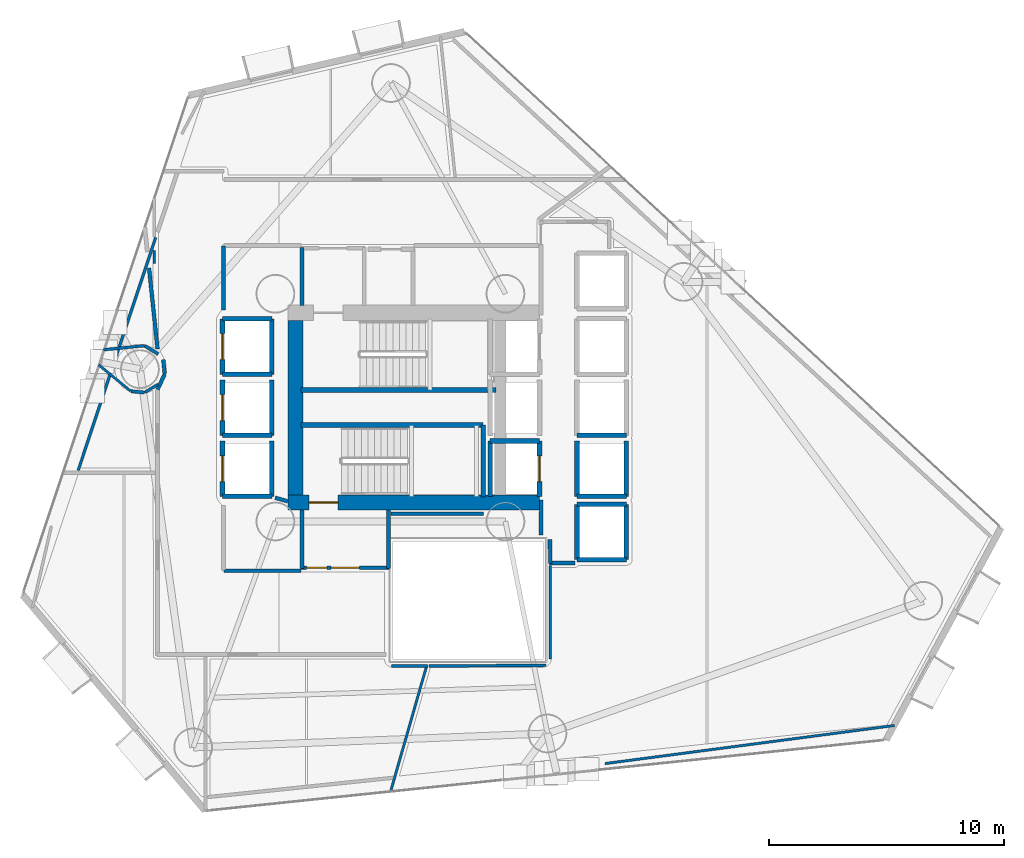
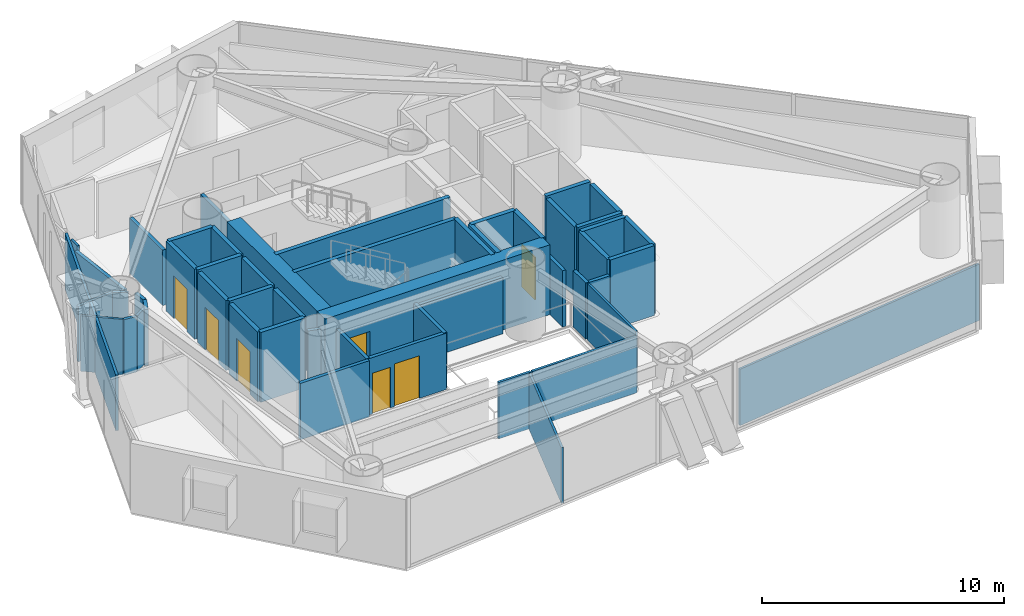
# One storey, part 18 of 23: 52 walls, 7 doors, 7 openings.
"""IFC4 building model written with IfcOpenShell, lengths in metres."""

from ifc_helpers import new_model, si_unit, direction, frame, frame_2d, origin, place, context, subcontext, project, spatial, rectangle, extrude, material, layer, layer_set, type_object, element, fill, save


model = new_model("IFC4")

# Units and contexts
model_context = context("Model", 3, precision=1e-05, world=origin(), true_north=direction((0.0, 1.0)))
body_context = subcontext(model_context, "Body", "Model", "MODEL_VIEW")
ifc_project = project(units=[si_unit("LENGTHUNIT", "METRE"), si_unit("AREAUNIT", "SQUARE_METRE"), si_unit("VOLUMEUNIT", "CUBIC_METRE"), si_unit("PLANEANGLEUNIT", "RADIAN"), si_unit("MASSUNIT", "GRAM", prefix="KILO")], contexts=[model_context])

# Site, building, storey
site_placement = place(None, origin())
site = spatial("IfcSite", under=ifc_project, at=site_placement, CompositionType="ELEMENT")
building_placement = place(site_placement, origin())
building = spatial("IfcBuilding", under=site, at=building_placement, Name="Qianvela Tower", CompositionType="ELEMENT")
storey_placement = place(building_placement, frame((0.0, 0.0, 67.300048828125)))
storey = spatial("IfcBuildingStorey", under=building, at=storey_placement, Name="L16", CompositionType="ELEMENT", Elevation=67.300048828125)

# Wall, opening, door
ifc_material_1 = material(Name="Concrete C60", Category="concrete")
ifc_layer_1 = layer(ifc_material_1, 0.64990234375)
ifc_layer_set_1 = layer_set([ifc_layer_1], Name="Concrete C60")
wall_type_1 = type_object("IfcWallType", Name="WT-CORE-650", PredefinedType="SHEAR", material=ifc_layer_set_1)
wall_1_placement = place(storey_placement, frame((29.1298828125, 24.655029296875, 0.0), z_axis=(0.0, 0.0, 1.0), x_axis=(1.0, 0.0, 0.0)))
wall_1 = element("IfcWall", 1, at=wall_1_placement, inside=storey, type_object=wall_type_1, Name="L16 South Core Shear Wall", PredefinedType="SHEAR", context=body_context, shape_type="SweptSolid", body=[
    extrude(rectangle(XDim=10.72021484375, YDim=0.64990234375, at=frame_2d((5.360107421875, 0.0))), origin(), (0.0, 0.0, 1.0), 3.52001953125),
])
opening_1_placement = place(wall_1_placement, frame((0.89501953125, 0.0, 0.0)))
opening_1 = element("IfcOpeningElement", 2, at=opening_1_placement, cuts=wall_1, Name="Opening D-ST1", PredefinedType="OPENING", context=body_context, shape_type="SweptSolid", body=[
    extrude(rectangle(XDim=1.25, YDim=2.14990234375, at=frame_2d((0.625, 1.074951171875))), frame((0.0, 0.3349609375, 0.0), z_axis=(0.0, -1.0, 0.0), x_axis=(1.0, 0.0, 0.0)), (0.0, 0.0, 1.0), 0.669921875),
])
ifc_material_2 = material(Name="Galvanised Fire Steel Q355B", Category="steel")
door_type_1 = type_object("IfcDoorType", Name="DT-STAIR-FD90", OperationType="NOTDEFINED", PredefinedType="DOOR", material=ifc_material_2)
door_1_placement = place(opening_1_placement, origin())
door_1 = element("IfcDoor", 3, at=door_1_placement, inside=storey, type_object=door_type_1, Name="L16 Stair ST-2 Exit Door", OperationType="SINGLE_SWING_RIGHT", OverallHeight=2.14990234375, OverallWidth=1.25, PredefinedType="DOOR", context=body_context, shape_type="SweptSolid", body=[
    extrude(rectangle(XDim=1.25, YDim=2.14990234375, at=frame_2d((0.625, 1.074951171875))), frame((0.0, 0.02490234375, 0.0), z_axis=(0.0, -1.0, 0.0), x_axis=(1.0, 0.0, 0.0)), (0.0, 0.0, 1.0), 0.050048828125),
])
fill(opening_1, door_1)

# Walls
wall_2_placement = place(storey_placement, frame((29.455078125, 24.97998046875, 0.0), z_axis=(0.0, 0.0, 1.0), x_axis=(0.0, 1.0, 0.0)))
element("IfcWall", 4, at=wall_2_placement, inside=storey, type_object=wall_type_1, Name="L16 West Core Shear Wall", PredefinedType="SHEAR", context=body_context, shape_type="SweptSolid", body=[
    extrude(rectangle(XDim=7.43994140625, YDim=0.64990234375, at=frame_2d((3.719970703125, 0.0))), origin(), (0.0, 0.0, 1.0), 3.52001953125),
])
ifc_material_3 = material(Name="Fire-Rated Gypsum and Concrete Block", Category="concrete")
ifc_layer_2 = layer(ifc_material_3, 0.159912109375)
ifc_layer_set_2 = layer_set([ifc_layer_2], Name="Fire-Rated Gypsum and Concrete Block")
wall_type_2 = type_object("IfcWallType", Name="WT-CORR-160", PredefinedType="PARTITIONING", material=ifc_layer_set_2)
wall_3_placement = place(storey_placement, frame((29.73095703125, 33.05810546875, 0.0), z_axis=(0.0, 0.0, 1.0), x_axis=(0.0, 1.0, 0.0)))
element("IfcWall", 5, at=wall_3_placement, inside=storey, type_object=wall_type_2, Name="L16 Partition 2", PredefinedType="PARTITIONING", context=body_context, shape_type="SweptSolid", body=[
    extrude(rectangle(XDim=2.4619140625, YDim=0.159912109375, at=frame_2d((1.23095703125, 0.0))), origin(), (0.0, 0.0, 1.0), 2.83984375),
])

# Wall, openings, doors
wall_4_placement = place(storey_placement, frame((33.449951171875, 21.881103515625, 0.0), z_axis=(0.0, 0.0, 1.0), x_axis=(-1.0, 0.0, 0.0)))
wall_4 = element("IfcWall", 6, at=wall_4_placement, inside=storey, type_object=wall_type_2, Name="L16 Partition 5", PredefinedType="PARTITIONING", context=body_context, shape_type="SweptSolid", body=[
    extrude(rectangle(XDim=3.75, YDim=0.159912109375, at=frame_2d((1.875, 0.0))), origin(), (0.0, 0.0, 1.0), 2.83984375),
])
opening_2_placement = place(wall_4_placement, frame((1.27490234375, 0.0, 0.0)))
opening_2 = element("IfcOpeningElement", 7, at=opening_2_placement, cuts=wall_4, Name="Opening D-LB1", PredefinedType="OPENING", context=body_context, shape_type="SweptSolid", body=[
    extrude(rectangle(XDim=1.199951171875, YDim=2.14990234375, at=frame_2d((0.60009765625, 1.074951171875))), frame((0.0, 0.08984375, 0.0), z_axis=(0.0, -1.0, 0.0), x_axis=(1.0, 0.0, 0.0)), (0.0, 0.0, 1.0), 0.179931640625),
])
opening_3_placement = place(wall_4_placement, frame((2.659912109375, 0.0, 0.0)))
opening_3 = element("IfcOpeningElement", 8, at=opening_3_placement, cuts=wall_4, Name="Opening D-LB2", PredefinedType="OPENING", context=body_context, shape_type="SweptSolid", body=[
    extrude(rectangle(XDim=0.860107421875, YDim=2.050048828125, at=frame_2d((0.43017578125, 1.02490234375))), frame((0.0, 0.08984375, 0.0), z_axis=(0.0, -1.0, 0.0), x_axis=(1.0, 0.0, 0.0)), (0.0, 0.0, 1.0), 0.179931640625),
])
ifc_material_4 = material(Name="Glazed Fire-Rated Steel Frame", Category="steel")
door_type_2 = type_object("IfcDoorType", Name="DT-LOBBY-FD90", OperationType="NOTDEFINED", PredefinedType="DOOR", material=ifc_material_4)
door_2_placement = place(opening_2_placement, origin())
door_2 = element("IfcDoor", 9, at=door_2_placement, inside=storey, type_object=door_type_2, Name="L16 Door L16 Firefighting Lobby South to L16 Floor Corridor", OperationType="SINGLE_SWING_LEFT", OverallHeight=2.14990234375, OverallWidth=1.199951171875, PredefinedType="DOOR", context=body_context, shape_type="SweptSolid", body=[
    extrude(rectangle(XDim=1.199951171875, YDim=2.14990234375, at=frame_2d((0.60009765625, 1.074951171875))), frame((0.0, 0.02490234375, 0.0), z_axis=(0.0, -1.0, 0.0), x_axis=(1.0, 0.0, 0.0)), (0.0, 0.0, 1.0), 0.050048828125),
])
fill(opening_2, door_2)
ifc_material_5 = material(Name="Insulated Steel Fire Door Q355B", Category="steel")
door_type_3 = type_object("IfcDoorType", Name="DT-LOBBY-FD90-860", OperationType="NOTDEFINED", PredefinedType="DOOR", material=ifc_material_5)
door_3_placement = place(opening_3_placement, origin())
door_3 = element("IfcDoor", 10, at=door_3_placement, inside=storey, type_object=door_type_3, Name="L16 Door L16 Firefighting Lobby South to L16 Floor Corridor", OperationType="SINGLE_SWING_RIGHT", OverallHeight=2.050048828125, OverallWidth=0.860107421875, PredefinedType="DOOR", context=body_context, shape_type="SweptSolid", body=[
    extrude(rectangle(XDim=0.860107421875, YDim=2.050048828125, at=frame_2d((0.43017578125, 1.02490234375))), frame((0.0, 0.02490234375, 0.0), z_axis=(0.0, -1.0, 0.0), x_axis=(1.0, 0.0, 0.0)), (0.0, 0.0, 1.0), 0.050048828125),
])
fill(opening_3, door_3)

# Walls
for number, where, z_axis, x_axis, name in (
    (11, (29.73095703125, 21.85009765625, 0.0), (0.0, 0.0, 1.0), (0.0, 1.0, 0.0), "L16 Partition 6"),
    (12, (33.4189453125, 24.342041015625, 0.0), (0.0, 0.0, 1.0), (0.0, -1.0, 0.0), "L16 Partition 8"),
):
    element("IfcWall", number, at=place(storey_placement, frame(where, z_axis=z_axis, x_axis=x_axis)), inside=storey, type_object=wall_type_2, Name=name, PredefinedType="PARTITIONING", context=body_context, shape_type="SweptSolid", body=[
        extrude(rectangle(XDim=2.491943359375, YDim=0.159912109375, at=frame_2d((1.24609375, 0.0))), origin(), (0.0, 0.0, 1.0), 2.83984375),
    ])
wall_5_placement = place(storey_placement, frame((41.360107421875, 22.0810546875, 0.0), z_axis=(0.0, 0.0, 1.0), x_axis=(-1.0, 0.0, 0.0)))
element("IfcWall", 13, at=wall_5_placement, inside=storey, type_object=wall_type_2, Name="L16 Partition 15", PredefinedType="PARTITIONING", context=body_context, shape_type="SweptSolid", body=[
    extrude(rectangle(XDim=1.080078125, YDim=0.159912109375, at=frame_2d((0.5400390625, 0.0))), origin(), (0.0, 0.0, 1.0), 2.83984375),
])
wall_6_placement = place(storey_placement, frame((40.31103515625, 22.05029296875, 0.0), z_axis=(0.0, 0.0, 1.0), x_axis=(-0.011836292006, 0.999929948642, 0.0)))
element("IfcWall", 14, at=wall_6_placement, inside=storey, type_object=wall_type_2, Name="L16 Partition 16", PredefinedType="PARTITIONING", context=body_context, shape_type="SweptSolid", body=[
    extrude(rectangle(XDim=1.03125, YDim=0.159912109375, at=frame_2d((0.515625, 0.0))), origin(), (0.0, 0.0, 1.0), 2.83984375),
])
wall_7_placement = place(storey_placement, frame((39.910888671875, 23.27978515625, 0.0), z_axis=(0.0, 0.0, 1.0), x_axis=(0.009397771291, 0.999955839972, 0.0)))
element("IfcWall", 15, at=wall_7_placement, inside=storey, type_object=wall_type_2, Name="L16 Partition 17", PredefinedType="PARTITIONING", context=body_context, shape_type="SweptSolid", body=[
    extrude(rectangle(XDim=1.480712890625, YDim=0.159912109375, at=frame_2d((0.740234375, 0.0))), origin(), (0.0, 0.0, 1.0), 2.83984375),
])
wall_8_placement = place(storey_placement, frame((29.1298828125, 24.706298828125, 0.0), z_axis=(0.0, 0.0, 1.0), x_axis=(-0.960451214223, 0.278448316742, 0.0)))
element("IfcWall", 16, at=wall_8_placement, inside=storey, type_object=wall_type_2, Name="L16 Partition 27", PredefinedType="PARTITIONING", context=body_context, shape_type="SweptSolid", body=[
    extrude(rectangle(XDim=0.56201171875, YDim=0.159912109375, at=frame_2d((0.281005859375, 0.0))), origin(), (0.0, 0.0, 1.0), 2.83984375),
])
wall_9_placement = place(storey_placement, frame((37.466552734375, 24.180908203125, 0.0), z_axis=(0.0, 0.0, 1.0), x_axis=(-1.0, 0.0, 0.0)))
element("IfcWall", 17, at=wall_9_placement, inside=storey, type_object=wall_type_2, Name="L16 Partition 34", PredefinedType="PARTITIONING", context=body_context, shape_type="SweptSolid", body=[
    extrude(rectangle(XDim=3.9365234375, YDim=0.159912109375, at=frame_2d((1.96826171875, 0.0))), origin(), (0.0, 0.0, 1.0), 2.83984375),
])
wall_10_placement = place(storey_placement, frame((23.5810546875, 31.197265625, 0.0), z_axis=(0.0, 0.0, 1.0), x_axis=(-0.104644434472, 0.994509699467, 0.0)))
element("IfcWall", 18, at=wall_10_placement, inside=storey, type_object=wall_type_2, Name="L16 Partition 35", PredefinedType="PARTITIONING", context=body_context, shape_type="SweptSolid", body=[
    extrude(rectangle(XDim=3.464599609375, YDim=0.159912109375, at=frame_2d((1.732421875, 0.0))), origin(), (0.0, 0.0, 1.0), 2.7978515625),
])
wall_11_placement = place(storey_placement, frame((26.388916015625, 35.580078125, 0.0), z_axis=(0.0, 0.0, 1.0), x_axis=(0.0, -1.0, 0.0)))
element("IfcWall", 19, at=wall_11_placement, inside=storey, type_object=wall_type_2, Name="L16 Partition 42", PredefinedType="PARTITIONING", context=body_context, shape_type="SweptSolid", body=[
    extrude(rectangle(XDim=2.71044921875, YDim=0.159912109375, at=frame_2d((1.355224609375, 0.0))), origin(), (0.0, 0.0, 1.0), 2.7978515625),
])
wall_12_placement = place(storey_placement, frame((26.419921875, 21.7490234375, 0.0), z_axis=(0.0, 0.0, 1.0), x_axis=(1.0, 0.0, 0.0)))
element("IfcWall", 20, at=wall_12_placement, inside=storey, type_object=wall_type_2, Name="L16 Partition 45 seg 1", PredefinedType="PARTITIONING", context=body_context, shape_type="SweptSolid", body=[
    extrude(rectangle(XDim=3.280029296875, YDim=0.159912109375, at=frame_2d((1.64013671875, 0.0))), origin(), (0.0, 0.0, 1.0), 2.83984375),
])
wall_13_placement = place(storey_placement, frame((23.578125, 29.4697265625, 0.0), z_axis=(0.0, 0.0, 1.0), x_axis=(0.421827918194, 0.906675910914, 0.0)))
element("IfcWall", 21, at=wall_13_placement, inside=storey, type_object=wall_type_2, Name="L16 Partition 48", PredefinedType="PARTITIONING", context=body_context, shape_type="SweptSolid", body=[
    extrude(rectangle(XDim=0.720458984375, YDim=0.159912109375, at=frame_2d((0.3603515625, 0.0))), origin(), (0.0, 0.0, 1.0), 2.83984375),
])
wall_14_placement = place(storey_placement, frame((23.884765625, 30.13916015625, 0.0), z_axis=(0.0, 0.0, 1.0), x_axis=(-0.0981888168, 0.995167803064, 0.0)))
element("IfcWall", 22, at=wall_14_placement, inside=storey, type_object=wall_type_2, Name="L16 Partition 49", PredefinedType="PARTITIONING", context=body_context, shape_type="SweptSolid", body=[
    extrude(rectangle(XDim=0.606689453125, YDim=0.159912109375, at=frame_2d((0.30322265625, 0.0))), origin(), (0.0, 0.0, 1.0), 2.83984375),
])
ifc_material_6 = material(Name="Lightweight Gypsum Room Partition")
ifc_layer_3 = layer(ifc_material_6, 0.10498046875)
ifc_layer_set_3 = layer_set([ifc_layer_3], Name="Lightweight Gypsum Room Partition")
wall_type_3 = type_object("IfcWallType", Name="WT-PART-105", PredefinedType="PARTITIONING", material=ifc_layer_set_3)
wall_15_placement = place(storey_placement, frame((35.05224609375, 17.728515625, 0.0), z_axis=(0.0, 0.0, 1.0), x_axis=(-0.275649797441, -0.961258128273, 0.0)))
element("IfcWall", 23, at=wall_15_placement, inside=storey, type_object=wall_type_3, Name="L16 Partition 57", PredefinedType="PARTITIONING", context=body_context, shape_type="SweptSolid", body=[
    extrude(rectangle(XDim=5.6240234375, YDim=0.10498046875, at=frame_2d((2.81201171875, 0.0))), origin(), (0.0, 0.0, 1.0), 2.7978515625),
])
wall_16_placement = place(storey_placement, frame((54.974853515625, 15.1591796875, 0.0), z_axis=(0.0, 0.0, 1.0), x_axis=(-0.99144501108, -0.130525055085, 0.0)))
element("IfcWall", 24, at=wall_16_placement, inside=storey, type_object=wall_type_3, Name="L16 Partition 72 seg 1", PredefinedType="PARTITIONING", context=body_context, shape_type="SweptSolid", body=[
    extrude(rectangle(XDim=12.444091796875, YDim=0.10498046875, at=frame_2d((6.22216796875, 0.0))), origin(), (0.0, 0.0, 1.0), 2.83984375),
])
wall_17_placement = place(storey_placement, frame((40.31103515625, 18.0, 0.0), z_axis=(0.0, 0.0, 1.0), x_axis=(0.0, 1.0, 0.0)))
element("IfcWall", 25, at=wall_17_placement, inside=storey, type_object=wall_type_3, Name="L16 Partition 75 seg 1", PredefinedType="PARTITIONING", context=body_context, shape_type="SweptSolid", body=[
    extrude(rectangle(XDim=3.969970703125, YDim=0.10498046875, at=frame_2d((1.98486328125, 0.0))), origin(), (0.0, 0.0, 1.0), 2.83984375),
])
wall_18_placement = place(storey_placement, frame((21.069091796875, 30.52490234375, 0.0), z_axis=(0.0, 0.0, 1.0), x_axis=(0.772988075941, -0.63442055015, 0.0)))
element("IfcWall", 26, at=wall_18_placement, inside=storey, type_object=wall_type_3, Name="L16 Partition 90", PredefinedType="PARTITIONING", context=body_context, shape_type="SweptSolid", body=[
    extrude(rectangle(XDim=1.763671875, YDim=0.10498046875, at=frame_2d((0.8818359375, 0.0))), origin(), (0.0, 0.0, 1.0), 2.7978515625),
])
wall_19_placement = place(storey_placement, frame((23.439208984375, 35.392822265625, 0.0), z_axis=(0.0, 0.0, 1.0), x_axis=(0.0, -1.0, 0.0)))
element("IfcWall", 27, at=wall_19_placement, inside=storey, type_object=wall_type_3, Name="L16 Partition 96 seg 1 trim 1", PredefinedType="PARTITIONING", context=body_context, shape_type="SweptSolid", body=[
    extrude(rectangle(XDim=0.552734375, YDim=0.10498046875, at=frame_2d((0.2763671875, 0.0))), origin(), (0.0, 0.0, 1.0), 2.83984375),
])
ifc_material_7 = material(Name="Insulated Gypsum Stud Partition")
ifc_layer_4 = layer(ifc_material_7, 0.1201171875)
ifc_layer_set_4 = layer_set([ifc_layer_4], Name="Insulated Gypsum Stud Partition")
wall_type_4 = type_object("IfcWallType", Name="WT-PART-120", PredefinedType="PARTITIONING", material=ifc_layer_set_4)
wall_20_placement = place(storey_placement, frame((33.54541015625, 17.6943359375, 0.0), z_axis=(0.0, 0.0, 1.0), x_axis=(0.99999388923, -0.003495926516, 0.0)))
element("IfcWall", 28, at=wall_20_placement, inside=storey, type_object=wall_type_4, Name="L16 Partition 56", PredefinedType="PARTITIONING", context=body_context, shape_type="SweptSolid", body=[
    extrude(rectangle(XDim=1.536376953125, YDim=0.1201171875, at=frame_2d((0.76806640625, 0.0))), origin(), (0.0, 0.0, 1.0), 2.83984375),
])
wall_21_placement = place(storey_placement, frame((35.144287109375, 17.68896484375, 0.0), z_axis=(0.0, 0.0, 1.0), x_axis=(0.99997784373, 0.00665672965, 0.0)))
element("IfcWall", 29, at=wall_21_placement, inside=storey, type_object=wall_type_4, Name="L16 Partition 74 seg 1", PredefinedType="PARTITIONING", context=body_context, shape_type="SweptSolid", body=[
    extrude(rectangle(XDim=4.98779296875, YDim=0.1201171875, at=frame_2d((2.493896484375, 0.0))), origin(), (0.0, 0.0, 1.0), 2.83984375),
])
wall_22_placement = place(storey_placement, frame((23.01806640625, 31.3369140625, 0.0), z_axis=(0.0, 0.0, 1.0), x_axis=(-0.995198081746, -0.097881449154, 0.0)))
element("IfcWall", 30, at=wall_22_placement, inside=storey, type_object=wall_type_4, Name="L16 Partition 86", PredefinedType="PARTITIONING", context=body_context, shape_type="SweptSolid", body=[
    extrude(rectangle(XDim=1.743408203125, YDim=0.1201171875, at=frame_2d((0.87158203125, 0.0))), origin(), (0.0, 0.0, 1.0), 2.7978515625),
])
wall_23_placement = place(storey_placement, frame((23.037353515625, 29.347412109375, 0.0), z_axis=(0.0, 0.0, 1.0), x_axis=(0.852045812822, 0.523467222328, 0.0)))
element("IfcWall", 31, at=wall_23_placement, inside=storey, type_object=wall_type_4, Name="L16 Partition 92", PredefinedType="PARTITIONING", context=body_context, shape_type="SweptSolid", body=[
    extrude(rectangle(XDim=0.670166015625, YDim=0.1201171875, at=frame_2d((0.3349609375, 0.0))), origin(), (0.0, 0.0, 1.0), 2.7978515625),
])
wall_24_placement = place(storey_placement, frame((20.201416015625, 26.0322265625, 0.0), z_axis=(0.0, 0.0, 1.0), x_axis=(0.315652901444, 0.948874726089, 0.0)))
element("IfcWall", 32, at=wall_24_placement, inside=storey, type_object=wall_type_4, Name="L16 Partition 95", PredefinedType="PARTITIONING", context=body_context, shape_type="SweptSolid", body=[
    extrude(rectangle(XDim=10.448486328125, YDim=0.1201171875, at=frame_2d((5.22412109375, 0.0))), origin(), (0.0, 0.0, 1.0), 2.7978515625),
])
ifc_material_8 = material(Name="Acoustic Double Gypsum Stud Partition")
ifc_layer_5 = layer(ifc_material_8, 0.139892578125)
ifc_layer_set_5 = layer_set([ifc_layer_5], Name="Acoustic Double Gypsum Stud Partition")
wall_type_5 = type_object("IfcWallType", Name="WT-ROOM-140", PredefinedType="PARTITIONING", material=ifc_layer_set_5)
wall_25_placement = place(storey_placement, frame((23.6083984375, 30.981689453125, 0.0), z_axis=(0.0, 0.0, 1.0), x_axis=(-0.852045812822, 0.523467222328, 0.0)))
element("IfcWall", 33, at=wall_25_placement, inside=storey, type_object=wall_type_5, Name="L16 Partition 85", PredefinedType="PARTITIONING", context=body_context, shape_type="SweptSolid", body=[
    extrude(rectangle(XDim=0.670166015625, YDim=0.139892578125, at=frame_2d((0.3349609375, 0.0))), origin(), (0.0, 0.0, 1.0), 2.7978515625),
])
wall_26_placement = place(storey_placement, frame((22.448974609375, 29.399169921875, 0.0), z_axis=(0.0, 0.0, 1.0), x_axis=(0.995167364461, -0.098193262045, 0.0)))
element("IfcWall", 34, at=wall_26_placement, inside=storey, type_object=wall_type_5, Name="L16 Partition 91", PredefinedType="PARTITIONING", context=body_context, shape_type="SweptSolid", body=[
    extrude(rectangle(XDim=0.57177734375, YDim=0.139892578125, at=frame_2d((0.285888671875, 0.0))), origin(), (0.0, 0.0, 1.0), 2.7978515625),
])
ifc_material_9 = material(Name="Concrete C50", Category="concrete")
ifc_layer_6 = layer(ifc_material_9, 0.199951171875)
ifc_layer_set_6 = layer_set([ifc_layer_6], Name="Concrete C50")
wall_type_6 = type_object("IfcWallType", Name="WT-SHAFT-200", PredefinedType="SOLIDWALL", material=ifc_layer_set_6)
wall_27_placement = place(storey_placement, frame((29.699951171875, 29.449951171875, 0.0), z_axis=(0.0, 0.0, 1.0), x_axis=(1.0, 0.0, 0.0)))
element("IfcWall", 35, at=wall_27_placement, inside=storey, type_object=wall_type_6, Name="L16 Stair ST-1 South Wall", PredefinedType="SOLIDWALL", context=body_context, shape_type="SweptSolid", body=[
    extrude(rectangle(XDim=8.300048828125, YDim=0.199951171875, at=frame_2d((4.14990234375, 0.0))), origin(), (0.0, 0.0, 1.0), 3.52001953125),
])
wall_28_placement = place(storey_placement, frame((29.699951171875, 27.9599609375, 0.0), z_axis=(0.0, 0.0, 1.0), x_axis=(1.0, 0.0, 0.0)))
element("IfcWall", 36, at=wall_28_placement, inside=storey, type_object=wall_type_6, Name="L16 Stair ST-2 North Wall", PredefinedType="SOLIDWALL", context=body_context, shape_type="SweptSolid", body=[
    extrude(rectangle(XDim=7.75, YDim=0.199951171875, at=frame_2d((3.875, 0.0))), origin(), (0.0, 0.0, 1.0), 3.52001953125),
])
wall_29_placement = place(storey_placement, frame((37.449951171875, 24.89990234375, 0.0), z_axis=(0.0, 0.0, 1.0), x_axis=(0.0, 1.0, 0.0)))
element("IfcWall", 37, at=wall_29_placement, inside=storey, type_object=wall_type_6, Name="L16 Stair ST-2 East Wall", PredefinedType="SOLIDWALL", context=body_context, shape_type="SweptSolid", body=[
    extrude(rectangle(XDim=3.06005859375, YDim=0.199951171875, at=frame_2d((1.530029296875, 0.0))), origin(), (0.0, 0.0, 1.0), 3.52001953125),
])

# Wall, opening, door
wall_30_placement = place(storey_placement, frame((39.85009765625, 24.919921875, 0.0), z_axis=(0.0, 0.0, 1.0), x_axis=(0.0, 1.0, 0.0)))
wall_30 = element("IfcWall", 38, at=wall_30_placement, inside=storey, type_object=wall_type_6, Name="L16 Lift FL-2 E Shaft Wall", PredefinedType="SOLIDWALL", context=body_context, shape_type="SweptSolid", body=[
    extrude(rectangle(XDim=2.360107421875, YDim=0.199951171875, at=frame_2d((1.18017578125, 0.0))), origin(), (0.0, 0.0, 1.0), 3.52001953125),
])
opening_4_placement = place(wall_30_placement, frame((0.6298828125, 0.0, 0.0)))
opening_4 = element("IfcOpeningElement", 39, at=opening_4_placement, cuts=wall_30, Name="Opening LD-01", PredefinedType="OPENING", context=body_context, shape_type="SweptSolid", body=[
    extrude(rectangle(XDim=1.10009765625, YDim=2.14990234375, at=frame_2d((0.550048828125, 1.074951171875))), frame((0.0, 0.10986328125, 0.0), z_axis=(0.0, -1.0, 0.0), x_axis=(1.0, 0.0, 0.0)), (0.0, 0.0, 1.0), 0.219970703125),
])
ifc_material_10 = material(Name="Brushed Stainless Steel Lift Landing Door", Category="steel")
door_type_4 = type_object("IfcDoorType", Name="DT-LIFT-SLIDE-1100", OperationType="SLIDING_TO_LEFT", PredefinedType="DOOR", material=ifc_material_10)
door_4_placement = place(opening_4_placement, origin())
door_4 = element("IfcDoor", 40, at=door_4_placement, inside=storey, type_object=door_type_4, Name="L16 Lift FL-2 Sliding Landing Door", OperationType="SLIDING_TO_LEFT", OverallHeight=2.14990234375, OverallWidth=1.10009765625, PredefinedType="DOOR", context=body_context, shape_type="SweptSolid", body=[
    extrude(rectangle(XDim=1.10009765625, YDim=2.14990234375, at=frame_2d((0.550048828125, 1.074951171875))), frame((0.0, 0.02490234375, 0.0), z_axis=(0.0, -1.0, 0.0), x_axis=(1.0, 0.0, 0.0)), (0.0, 0.0, 1.0), 0.050048828125),
])
fill(opening_4, door_4)

# Walls
wall_31_placement = place(storey_placement, frame((37.75, 24.919921875, 0.0), z_axis=(0.0, 0.0, 1.0), x_axis=(0.0, 1.0, 0.0)))
element("IfcWall", 41, at=wall_31_placement, inside=storey, type_object=wall_type_6, Name="L16 Lift FL-2 W Shaft Wall", PredefinedType="SOLIDWALL", context=body_context, shape_type="SweptSolid", body=[
    extrude(rectangle(XDim=2.360107421875, YDim=0.199951171875, at=frame_2d((1.18017578125, 0.0))), origin(), (0.0, 0.0, 1.0), 3.52001953125),
])
wall_32_placement = place(storey_placement, frame((37.75, 27.280029296875, 0.0), z_axis=(0.0, 0.0, 1.0), x_axis=(1.0, 0.0, 0.0)))
element("IfcWall", 42, at=wall_32_placement, inside=storey, type_object=wall_type_6, Name="L16 Lift FL-2 N Shaft Wall", PredefinedType="SOLIDWALL", context=body_context, shape_type="SweptSolid", body=[
    extrude(rectangle(XDim=2.10009765625, YDim=0.199951171875, at=frame_2d((1.050048828125, 0.0))), origin(), (0.0, 0.0, 1.0), 3.52001953125),
])
wall_33_placement = place(storey_placement, frame((28.449951171875, 30.1201171875, 0.0), z_axis=(0.0, 0.0, 1.0), x_axis=(0.0, 1.0, 0.0)))
element("IfcWall", 43, at=wall_33_placement, inside=storey, type_object=wall_type_6, Name="L16 Lift PL-L1 E Shaft Wall", PredefinedType="SOLIDWALL", context=body_context, shape_type="SweptSolid", body=[
    extrude(rectangle(XDim=2.35986328125, YDim=0.199951171875, at=frame_2d((1.179931640625, 0.0))), origin(), (0.0, 0.0, 1.0), 3.52001953125),
])

# Wall, opening, door
wall_34_placement = place(storey_placement, frame((26.35009765625, 30.1201171875, 0.0), z_axis=(0.0, 0.0, 1.0), x_axis=(0.0, 1.0, 0.0)))
wall_34 = element("IfcWall", 44, at=wall_34_placement, inside=storey, type_object=wall_type_6, Name="L16 Lift PL-L1 W Shaft Wall", PredefinedType="SOLIDWALL", context=body_context, shape_type="SweptSolid", body=[
    extrude(rectangle(XDim=2.35986328125, YDim=0.199951171875, at=frame_2d((1.179931640625, 0.0))), origin(), (0.0, 0.0, 1.0), 3.52001953125),
])
opening_5_placement = place(wall_34_placement, frame((0.6298828125, 0.0, 0.0)))
opening_5 = element("IfcOpeningElement", 45, at=opening_5_placement, cuts=wall_34, Name="Opening LD-01", PredefinedType="OPENING", context=body_context, shape_type="SweptSolid", body=[
    extrude(rectangle(XDim=1.10009765625, YDim=2.14990234375, at=frame_2d((0.550048828125, 1.074951171875))), frame((0.0, 0.10986328125, 0.0), z_axis=(0.0, -1.0, 0.0), x_axis=(1.0, 0.0, 0.0)), (0.0, 0.0, 1.0), 0.219970703125),
])
door_5_placement = place(opening_5_placement, origin())
door_5 = element("IfcDoor", 46, at=door_5_placement, inside=storey, type_object=door_type_4, Name="L16 Lift PL-L1 Sliding Landing Door", OperationType="SLIDING_TO_LEFT", OverallHeight=2.14990234375, OverallWidth=1.10009765625, PredefinedType="DOOR", context=body_context, shape_type="SweptSolid", body=[
    extrude(rectangle(XDim=1.10009765625, YDim=2.14990234375, at=frame_2d((0.550048828125, 1.074951171875))), frame((0.0, 0.02490234375, 0.0), z_axis=(0.0, -1.0, 0.0), x_axis=(1.0, 0.0, 0.0)), (0.0, 0.0, 1.0), 0.050048828125),
])
fill(opening_5, door_5)

# Walls
for number, where, z_axis, x_axis, name in (
    (47, (26.35009765625, 32.47998046875, 0.0), (0.0, 0.0, 1.0), (1.0, 0.0, 0.0), "L16 Lift PL-L1 N Shaft Wall"),
    (48, (26.35009765625, 30.1201171875, 0.0), (0.0, 0.0, 1.0), (1.0, 0.0, 0.0), "L16 Lift PL-L1 S Shaft Wall"),
):
    element("IfcWall", number, at=place(storey_placement, frame(where, z_axis=z_axis, x_axis=x_axis)), inside=storey, type_object=wall_type_6, Name=name, PredefinedType="SOLIDWALL", context=body_context, shape_type="SweptSolid", body=[
        extrude(rectangle(XDim=2.099853515625, YDim=0.199951171875, at=frame_2d((1.0498046875, 0.0))), origin(), (0.0, 0.0, 1.0), 3.52001953125),
    ])
wall_35_placement = place(storey_placement, frame((28.449951171875, 27.52001953125, 0.0), z_axis=(0.0, 0.0, 1.0), x_axis=(0.0, 1.0, 0.0)))
element("IfcWall", 49, at=wall_35_placement, inside=storey, type_object=wall_type_6, Name="L16 Lift PL-L2 E Shaft Wall", PredefinedType="SOLIDWALL", context=body_context, shape_type="SweptSolid", body=[
    extrude(rectangle(XDim=2.35986328125, YDim=0.199951171875, at=frame_2d((1.179931640625, 0.0))), origin(), (0.0, 0.0, 1.0), 3.52001953125),
])

# Wall, opening, door
wall_36_placement = place(storey_placement, frame((26.35009765625, 27.52001953125, 0.0), z_axis=(0.0, 0.0, 1.0), x_axis=(0.0, 1.0, 0.0)))
wall_36 = element("IfcWall", 50, at=wall_36_placement, inside=storey, type_object=wall_type_6, Name="L16 Lift PL-L2 W Shaft Wall", PredefinedType="SOLIDWALL", context=body_context, shape_type="SweptSolid", body=[
    extrude(rectangle(XDim=2.35986328125, YDim=0.199951171875, at=frame_2d((1.179931640625, 0.0))), origin(), (0.0, 0.0, 1.0), 3.52001953125),
])
opening_6_placement = place(wall_36_placement, frame((0.6298828125, 0.0, 0.0)))
opening_6 = element("IfcOpeningElement", 51, at=opening_6_placement, cuts=wall_36, Name="Opening LD-01", PredefinedType="OPENING", context=body_context, shape_type="SweptSolid", body=[
    extrude(rectangle(XDim=1.10009765625, YDim=2.14990234375, at=frame_2d((0.550048828125, 1.074951171875))), frame((0.0, 0.10986328125, 0.0), z_axis=(0.0, -1.0, 0.0), x_axis=(1.0, 0.0, 0.0)), (0.0, 0.0, 1.0), 0.219970703125),
])
door_6_placement = place(opening_6_placement, origin())
door_6 = element("IfcDoor", 52, at=door_6_placement, inside=storey, type_object=door_type_4, Name="L16 Lift PL-L2 Sliding Landing Door", OperationType="SLIDING_TO_LEFT", OverallHeight=2.14990234375, OverallWidth=1.10009765625, PredefinedType="DOOR", context=body_context, shape_type="SweptSolid", body=[
    extrude(rectangle(XDim=1.10009765625, YDim=2.14990234375, at=frame_2d((0.550048828125, 1.074951171875))), frame((0.0, 0.02490234375, 0.0), z_axis=(0.0, -1.0, 0.0), x_axis=(1.0, 0.0, 0.0)), (0.0, 0.0, 1.0), 0.050048828125),
])
fill(opening_6, door_6)

# Walls
wall_37_placement = place(storey_placement, frame((26.35009765625, 27.52001953125, 0.0), z_axis=(0.0, 0.0, 1.0), x_axis=(1.0, 0.0, 0.0)))
element("IfcWall", 53, at=wall_37_placement, inside=storey, type_object=wall_type_6, Name="L16 Lift PL-L2 S Shaft Wall", PredefinedType="SOLIDWALL", context=body_context, shape_type="SweptSolid", body=[
    extrude(rectangle(XDim=2.099853515625, YDim=0.199951171875, at=frame_2d((1.0498046875, 0.0))), origin(), (0.0, 0.0, 1.0), 3.52001953125),
])
wall_38_placement = place(storey_placement, frame((28.449951171875, 24.919921875, 0.0), z_axis=(0.0, 0.0, 1.0), x_axis=(0.0, 1.0, 0.0)))
element("IfcWall", 54, at=wall_38_placement, inside=storey, type_object=wall_type_6, Name="L16 Lift PL-L3 E Shaft Wall", PredefinedType="SOLIDWALL", context=body_context, shape_type="SweptSolid", body=[
    extrude(rectangle(XDim=2.360107421875, YDim=0.199951171875, at=frame_2d((1.18017578125, 0.0))), origin(), (0.0, 0.0, 1.0), 3.52001953125),
])

# Wall, opening, door
wall_39_placement = place(storey_placement, frame((26.35009765625, 24.919921875, 0.0), z_axis=(0.0, 0.0, 1.0), x_axis=(0.0, 1.0, 0.0)))
wall_39 = element("IfcWall", 55, at=wall_39_placement, inside=storey, type_object=wall_type_6, Name="L16 Lift PL-L3 W Shaft Wall", PredefinedType="SOLIDWALL", context=body_context, shape_type="SweptSolid", body=[
    extrude(rectangle(XDim=2.360107421875, YDim=0.199951171875, at=frame_2d((1.18017578125, 0.0))), origin(), (0.0, 0.0, 1.0), 3.52001953125),
])
opening_7_placement = place(wall_39_placement, frame((0.6298828125, 0.0, 0.0)))
opening_7 = element("IfcOpeningElement", 56, at=opening_7_placement, cuts=wall_39, Name="Opening LD-01", PredefinedType="OPENING", context=body_context, shape_type="SweptSolid", body=[
    extrude(rectangle(XDim=1.10009765625, YDim=2.14990234375, at=frame_2d((0.550048828125, 1.074951171875))), frame((0.0, 0.10986328125, 0.0), z_axis=(0.0, -1.0, 0.0), x_axis=(1.0, 0.0, 0.0)), (0.0, 0.0, 1.0), 0.219970703125),
])
door_7_placement = place(opening_7_placement, origin())
door_7 = element("IfcDoor", 57, at=door_7_placement, inside=storey, type_object=door_type_4, Name="L16 Lift PL-L3 Sliding Landing Door", OperationType="SLIDING_TO_LEFT", OverallHeight=2.14990234375, OverallWidth=1.10009765625, PredefinedType="DOOR", context=body_context, shape_type="SweptSolid", body=[
    extrude(rectangle(XDim=1.10009765625, YDim=2.14990234375, at=frame_2d((0.550048828125, 1.074951171875))), frame((0.0, 0.02490234375, 0.0), z_axis=(0.0, -1.0, 0.0), x_axis=(1.0, 0.0, 0.0)), (0.0, 0.0, 1.0), 0.050048828125),
])
fill(opening_7, door_7)

# Walls
wall_40_placement = place(storey_placement, frame((26.35009765625, 24.919921875, 0.0), z_axis=(0.0, 0.0, 1.0), x_axis=(1.0, 0.0, 0.0)))
element("IfcWall", 58, at=wall_40_placement, inside=storey, type_object=wall_type_6, Name="L16 Lift PL-L3 S Shaft Wall", PredefinedType="SOLIDWALL", context=body_context, shape_type="SweptSolid", body=[
    extrude(rectangle(XDim=2.099853515625, YDim=0.199951171875, at=frame_2d((1.0498046875, 0.0))), origin(), (0.0, 0.0, 1.0), 3.52001953125),
])
wall_41_placement = place(storey_placement, frame((41.449951171875, 27.52001953125, 0.0), z_axis=(0.0, 0.0, 1.0), x_axis=(1.0, 0.0, 0.0)))
element("IfcWall", 59, at=wall_41_placement, inside=storey, type_object=wall_type_6, Name="L16 Lift PL-M2 S Shaft Wall", PredefinedType="SOLIDWALL", context=body_context, shape_type="SweptSolid", body=[
    extrude(rectangle(XDim=2.10009765625, YDim=0.199951171875, at=frame_2d((1.050048828125, 0.0))), origin(), (0.0, 0.0, 1.0), 3.52001953125),
])
for number, where, z_axis, x_axis, name in (
    (60, (43.550048828125, 24.919921875, 0.0), (0.0, 0.0, 1.0), (0.0, 1.0, 0.0), "L16 Lift PL-M3 E Shaft Wall"),
    (61, (41.449951171875, 24.919921875, 0.0), (0.0, 0.0, 1.0), (0.0, 1.0, 0.0), "L16 Lift PL-M3 W Shaft Wall"),
):
    element("IfcWall", number, at=place(storey_placement, frame(where, z_axis=z_axis, x_axis=x_axis)), inside=storey, type_object=wall_type_6, Name=name, PredefinedType="SOLIDWALL", context=body_context, shape_type="SweptSolid", body=[
        extrude(rectangle(XDim=2.360107421875, YDim=0.199951171875, at=frame_2d((1.18017578125, 0.0))), origin(), (0.0, 0.0, 1.0), 3.52001953125),
    ])
wall_42_placement = place(storey_placement, frame((41.449951171875, 24.919921875, 0.0), z_axis=(0.0, 0.0, 1.0), x_axis=(1.0, 0.0, 0.0)))
element("IfcWall", 62, at=wall_42_placement, inside=storey, type_object=wall_type_6, Name="L16 Lift PL-M3 S Shaft Wall", PredefinedType="SOLIDWALL", context=body_context, shape_type="SweptSolid", body=[
    extrude(rectangle(XDim=2.10009765625, YDim=0.199951171875, at=frame_2d((1.050048828125, 0.0))), origin(), (0.0, 0.0, 1.0), 3.52001953125),
])
for number, where, z_axis, x_axis, name in (
    (63, (43.550048828125, 22.219970703125, 0.0), (0.0, 0.0, 1.0), (0.0, 1.0, 0.0), "L16 Lift PL-H2 E Shaft Wall"),
    (64, (41.449951171875, 22.219970703125, 0.0), (0.0, 0.0, 1.0), (0.0, 1.0, 0.0), "L16 Lift PL-H2 W Shaft Wall"),
):
    element("IfcWall", number, at=place(storey_placement, frame(where, z_axis=z_axis, x_axis=x_axis)), inside=storey, type_object=wall_type_6, Name=name, PredefinedType="SOLIDWALL", context=body_context, shape_type="SweptSolid", body=[
        extrude(rectangle(XDim=2.360107421875, YDim=0.199951171875, at=frame_2d((1.18017578125, 0.0))), origin(), (0.0, 0.0, 1.0), 3.52001953125),
    ])
for number, where, z_axis, x_axis, name in (
    (65, (41.449951171875, 24.580078125, 0.0), (0.0, 0.0, 1.0), (1.0, 0.0, 0.0), "L16 Lift PL-H2 N Shaft Wall"),
    (66, (41.449951171875, 22.219970703125, 0.0), (0.0, 0.0, 1.0), (1.0, 0.0, 0.0), "L16 Lift PL-H2 S Shaft Wall"),
):
    element("IfcWall", number, at=place(storey_placement, frame(where, z_axis=z_axis, x_axis=x_axis)), inside=storey, type_object=wall_type_6, Name=name, PredefinedType="SOLIDWALL", context=body_context, shape_type="SweptSolid", body=[
        extrude(rectangle(XDim=2.10009765625, YDim=0.199951171875, at=frame_2d((1.050048828125, 0.0))), origin(), (0.0, 0.0, 1.0), 3.52001953125),
    ])

save(model, "model.ifc")
